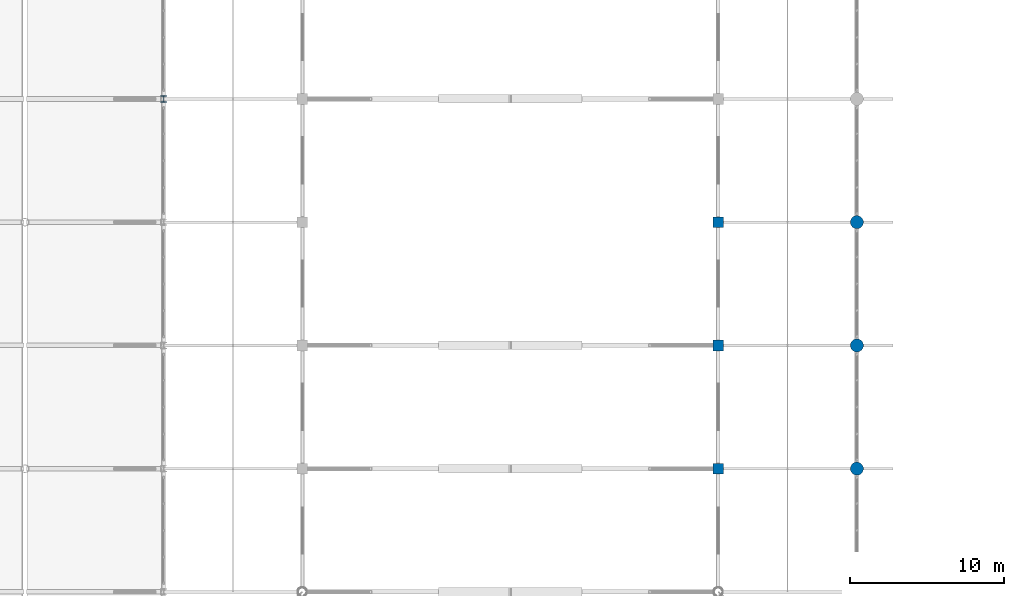
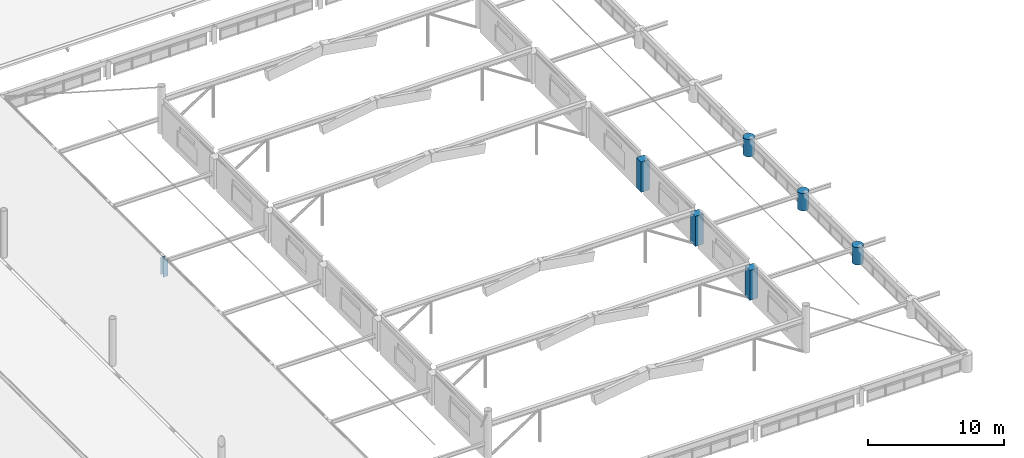
# One storey, part 5 of 128: 7 columns.
"""IFC4 building model written with IfcOpenShell, lengths in metres."""

from ifc_helpers import new_model, si_unit, derived_unit, direction, frame, origin, origin_2d, place, context, subcontext, project, spatial, rectangle, circle, i_section, extrude, material, material_profile, profile_set, type_object, element, save


model = new_model("IFC4")

# Units and contexts
model_context = context("Model", 3, precision=1e-05, world=origin(), true_north=direction((0.0, 1.0)))
body_context = subcontext(model_context, "Body", "Model", "MODEL_VIEW")
ifc_project = project(units=[si_unit("LENGTHUNIT", "METRE"), si_unit("AREAUNIT", "SQUARE_METRE"), si_unit("VOLUMEUNIT", "CUBIC_METRE"), si_unit("PLANEANGLEUNIT", "RADIAN"), si_unit("MASSUNIT", "GRAM", prefix="KILO"), derived_unit("THERMALTRANSMITTANCEUNIT", [(si_unit("MASSUNIT", "GRAM", prefix="KILO"), 1), (si_unit("TIMEUNIT", "SECOND"), -3), (si_unit("THERMODYNAMICTEMPERATUREUNIT", "KELVIN"), -1)])], contexts=[model_context])

# Site, building, storey
site_placement = place(None, origin())
site = spatial("IfcSite", under=ifc_project, at=site_placement, CompositionType="ELEMENT")
building_placement = place(site_placement, origin())
building = spatial("IfcBuilding", under=site, at=building_placement, Name="Zhenchuan Archway Interchange", CompositionType="ELEMENT")
storey_placement = place(building_placement, frame((0.0, 0.0, 14.39990234375)))
storey = spatial("IfcBuildingStorey", under=building, at=storey_placement, Name="L03", CompositionType="ELEMENT", Elevation=14.39990234375)

# Columns
ifc_material_1 = material(Name="Concrete C40", Category="concrete")
ifc_material_profile_1 = material_profile(ifc_material_1, rectangle(XDim=0.699951171875, YDim=0.699951171875, at=origin_2d()), Name="RC 700x700")
ifc_profile_set_1 = profile_set([ifc_material_profile_1], Name="Concrete C40")
column_type_1 = type_object("IfcColumnType", Name="COL_RC_700", PredefinedType="COLUMN", material=ifc_profile_set_1)
for number, where, z_axis, x_axis, name in (
    (1, (63.0, 40.0, 0.0), (0.0, 0.0, 1.0), (1.0, 0.0, 0.0), "Concourse clerestory arch pier 8/F (L03)"),
    (2, (63.0, 48.0, 0.0), (0.0, 0.0, 1.0), (1.0, 0.0, 0.0), "Concourse clerestory arch pier 8/G (L03)"),
):
    element("IfcColumn", number, at=place(storey_placement, frame(where, z_axis=z_axis, x_axis=x_axis)), inside=storey, type_object=column_type_1, Name=name, PredefinedType="COLUMN", context=body_context, shape_type="SweptSolid", body=[
        extrude(rectangle(XDim=0.699951171875, YDim=0.699951171875, at=origin_2d()), origin(), (0.0, 0.0, 1.0), 2.7001953125),
    ])
column_1_placement = place(storey_placement, frame((63.0, 56.0, 0.0), z_axis=(0.0, 0.0, 1.0), x_axis=(1.0, 0.0, 0.0)))
element("IfcColumn", 3, at=column_1_placement, inside=storey, type_object=column_type_1, Name="Concourse clerestory central pier E-H (L03)", PredefinedType="COLUMN", context=body_context, shape_type="SweptSolid", body=[
    extrude(rectangle(XDim=0.699951171875, YDim=0.699951171875, at=origin_2d()), origin(), (0.0, 0.0, 1.0), 2.72021484375),
])
ifc_material_profile_2 = material_profile(ifc_material_1, circle(Radius=0.425048828125, at=origin_2d()), Name="RC D850")
ifc_profile_set_2 = profile_set([ifc_material_profile_2], Name="Concrete C40")
column_type_2 = type_object("IfcColumnType", Name="COL_RC_D850", PredefinedType="COLUMN", material=ifc_profile_set_2)
for number, where, z_axis, x_axis, name in (
    (4, (72.0, 40.0, 0.0), (0.0, 0.0, 1.0), (1.0, 0.0, 0.0), "Column 9/F (L03)"),
    (5, (72.0, 48.0, 0.0), (0.0, 0.0, 1.0), (1.0, 0.0, 0.0), "Column 9/G (L03)"),
    (6, (72.0, 56.0, 0.0), (0.0, 0.0, 1.0), (1.0, 0.0, 0.0), "Column 9/H (L03)"),
):
    element("IfcColumn", number, at=place(storey_placement, frame(where, z_axis=z_axis, x_axis=x_axis)), inside=storey, type_object=column_type_2, Name=name, PredefinedType="COLUMN", context=body_context, shape_type="SweptSolid", body=[
        extrude(circle(Radius=0.425048828125, at=origin_2d()), origin(), (0.0, 0.0, 1.0), 1.56005859375),
    ])
ifc_material_2 = material(Name="Steel Q355", Category="steel")
ifc_material_profile_3 = material_profile(ifc_material_2, i_section(OverallWidth=0.39990234375, OverallDepth=0.39990234375, WebThickness=0.012939453125, FlangeThickness=0.02099609375, FilletRadius=0.02197265625, at=origin_2d()), Name="HW 400x400")
ifc_profile_set_3 = profile_set([ifc_material_profile_3], Name="Steel Q355")
column_type_3 = type_object("IfcColumnType", Name="COL_STL_HW400", PredefinedType="COLUMN", material=ifc_profile_set_3)
column_2_placement = place(storey_placement, frame((27.0, 64.0, 0.0), z_axis=(0.0, 0.0, 1.0), x_axis=(1.0, 0.0, 0.0)))
element("IfcColumn", 7, at=column_2_placement, inside=storey, type_object=column_type_3, Name="Column 4/J (L03)", PredefinedType="COLUMN", context=body_context, shape_type="SweptSolid", body=[
    extrude(i_section(OverallWidth=0.39990234375, OverallDepth=0.39990234375, WebThickness=0.012939453125, FlangeThickness=0.02099609375, FilletRadius=0.02197265625, at=origin_2d()), origin(), (0.0, 0.0, 1.0), 1.56005859375),
])

save(model, "model.ifc")
